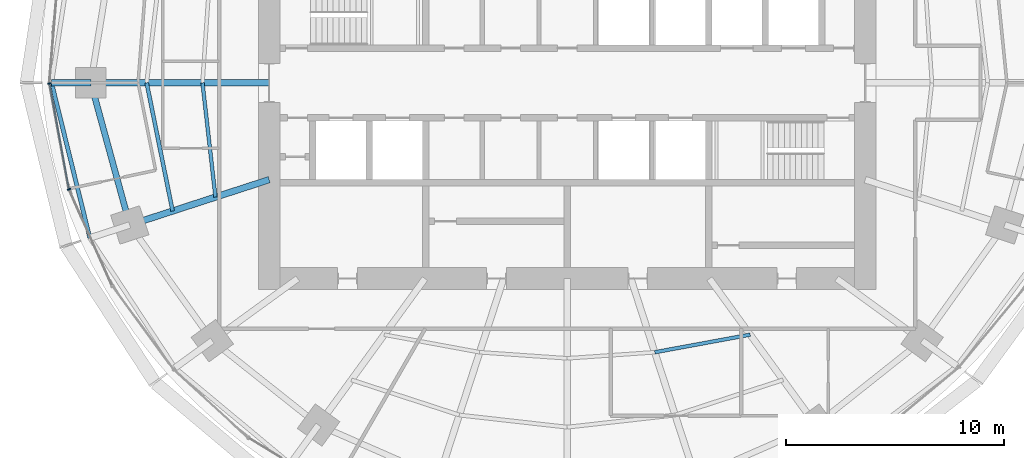
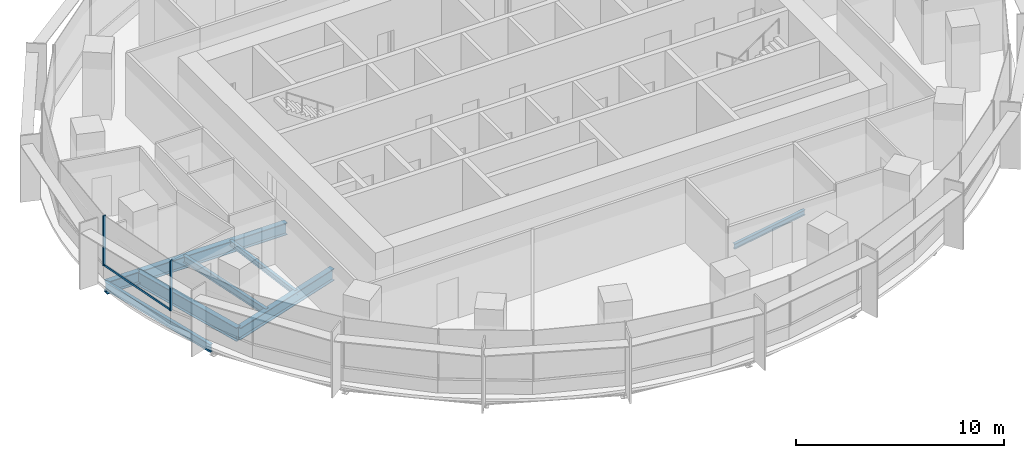
# One storey, part 3 of 14: 8 beams, 3 members, 1 element without a shape of its own.
"""IFC4 building model written with IfcOpenShell, lengths in metres."""

from ifc_helpers import new_model, si_unit, direction, frame, origin, origin_2d, place, context, subcontext, project, spatial, rectangle, i_section, extrude, material, material_profile, profile_set, type_object, element, aggregate, save


model = new_model("IFC4")

# Units and contexts
model_context = context("Model", 3, precision=1e-05, world=origin(), true_north=direction((0.0, 1.0)))
body_context = subcontext(model_context, "Body", "Model", "MODEL_VIEW")
ifc_project = project(units=[si_unit("LENGTHUNIT", "METRE"), si_unit("AREAUNIT", "SQUARE_METRE"), si_unit("VOLUMEUNIT", "CUBIC_METRE"), si_unit("PLANEANGLEUNIT", "RADIAN"), si_unit("MASSUNIT", "GRAM", prefix="KILO")], contexts=[model_context])

# Site, building, storey
site_placement = place(None, origin())
site = spatial("IfcSite", under=ifc_project, at=site_placement, CompositionType="ELEMENT")
building_placement = place(site_placement, origin())
building = spatial("IfcBuilding", under=site, at=building_placement, Name="Marramba Exchange Tower", CompositionType="ELEMENT")
storey_placement = place(building_placement, frame((0.0, 0.0, 176.0)))
storey = spatial("IfcBuildingStorey", under=building, at=storey_placement, Name="L42", CompositionType="ELEMENT", Elevation=176.0)

# Beams
ifc_material_1 = material(Name="Steel AS/NZS 3679.2 grade 300", Category="steel")
ifc_material_profile_1 = material_profile(ifc_material_1, i_section(OverallWidth=0.300048828125, OverallDepth=0.699951171875, WebThickness=0.010009765625, FlangeThickness=0.031982421875, at=origin_2d()), Name="700WB173")
ifc_profile_set_1 = profile_set([ifc_material_profile_1], Name="Steel AS/NZS 3679.2 grade 300")
beam_type_1 = type_object("IfcBeamType", Name="Cantilever girder 700WB173", PredefinedType="BEAM", material=ifc_profile_set_1)
beam_1_placement = place(storey_placement, frame((-21.89990234375, 0.0, -0.510009765625), z_axis=(-1.0, 0.0, 0.0), x_axis=(0.0, -1.0, 0.0)))
element("IfcBeam", 1, at=beam_1_placement, inside=storey, type_object=beam_type_1, Name="Cantilever girder L42 TC11", PredefinedType="BEAM", context=body_context, shape_type="SweptSolid", body=[
    extrude(i_section(OverallWidth=0.300048828125, OverallDepth=0.699951171875, WebThickness=0.010009765625, FlangeThickness=0.031982421875, at=origin_2d()), origin(), (0.0, 0.0, 1.0), 1.80615234375),
])
ifc_material_2 = material(Name="Steel AS/NZS 3679.1 grade 300", Category="steel")
ifc_material_profile_2 = material_profile(ifc_material_2, i_section(OverallWidth=0.166015625, OverallDepth=0.306884765625, WebThickness=0.006591796875, FlangeThickness=0.01171875, FilletRadius=0.011474609375, at=origin_2d()), Name="310UB46.2")
ifc_profile_set_2 = profile_set([ifc_material_profile_2], Name="Steel AS/NZS 3679.1 grade 300")
beam_type_2 = type_object("IfcBeamType", Name="Floor joist 310UB46.2", PredefinedType="JOIST", material=ifc_profile_set_2)
beam_2_placement = place(storey_placement, frame((-16.7666015625, 0.0, -0.3134765625), z_axis=(0.112888968594, -0.993607609054, 0.0), x_axis=(0.993607609054, 0.112888968594, 0.0)))
element("IfcBeam", 2, at=beam_2_placement, inside=storey, type_object=beam_type_2, Name="Joist L42 bay 11 row 1", PredefinedType="JOIST", context=body_context, shape_type="SweptSolid", body=[
    extrude(i_section(OverallWidth=0.166015625, OverallDepth=0.306884765625, WebThickness=0.006591796875, FlangeThickness=0.01171875, FilletRadius=0.011474609375, at=origin_2d()), origin(), (0.0, 0.0, 1.0), 5.28759765625),
])
beam_3_placement = place(storey_placement, frame((4.0244140625, -12.3857421875, -0.3134765625), z_axis=(0.983455754421, 0.181148500119, 0.0), x_axis=(-0.181148500119, 0.983455754421, 0.0)))
element("IfcBeam", 3, at=beam_3_placement, inside=storey, type_object=beam_type_2, Name="Joist L42 bay 17 row 1", PredefinedType="JOIST", context=body_context, shape_type="SweptSolid", body=[
    extrude(i_section(OverallWidth=0.166015625, OverallDepth=0.306884765625, WebThickness=0.006591796875, FlangeThickness=0.01171875, FilletRadius=0.011474609375, at=origin_2d()), origin(), (0.0, 0.0, 1.0), 4.4609375),
])
ifc_material_profile_3 = material_profile(ifc_material_2, i_section(OverallWidth=0.177978515625, OverallDepth=0.406005859375, WebThickness=0.0078125, FlangeThickness=0.0126953125, FilletRadius=0.011474609375, at=origin_2d()), Name="410UB59.7")
ifc_profile_set_3 = profile_set([ifc_material_profile_3], Name="Steel AS/NZS 3679.1 grade 300")
beam_type_3 = type_object("IfcBeamType", Name="Floor joist 410UB59.7", PredefinedType="JOIST", material=ifc_profile_set_3)
beam_4_placement = place(storey_placement, frame((-19.333251953125, 0.0, -0.363037109375), z_axis=(0.198489047047, -0.980103105904, 0.0), x_axis=(0.980103105904, 0.198489047047, 0.0)))
element("IfcBeam", 4, at=beam_4_placement, inside=storey, type_object=beam_type_3, Name="Joist L42 bay 11 row 2", PredefinedType="JOIST", context=body_context, shape_type="SweptSolid", body=[
    extrude(i_section(OverallWidth=0.177978515625, OverallDepth=0.406005859375, WebThickness=0.0078125, FlangeThickness=0.0126953125, FilletRadius=0.011474609375, at=origin_2d()), origin(), (0.0, 0.0, 1.0), 6.013427734375),
])

# Curtain wall, members
ifc_material_3 = material(Name="Aluminium framing, bronze anodised", Category="aluminium")
curtain_wall_type = type_object("IfcCurtainWallType", Name="Office ribbon curtain wall", PredefinedType="USERDEFINED", material=ifc_material_3)
curtain_wall_placement = place(storey_placement, origin())
curtain_wall = element("IfcCurtainWall", 5, at=curtain_wall_placement, inside=storey, type_object=curtain_wall_type, Name="Curtain wall CW4 L42 F16-F20", ObjectType="RIBBON CURTAIN WALL", PredefinedType="USERDEFINED")
ifc_material_4 = material(Name="Aluminium mullion, bronze anodised", Category="aluminium")
ifc_material_profile_4 = material_profile(ifc_material_4, rectangle(XDim=0.159912109375, YDim=0.06005859375, at=origin_2d()), Name="CW4 mullion 60x160")
ifc_profile_set_4 = profile_set([ifc_material_profile_4], Name="Aluminium mullion, bronze anodised")
member_type_1 = type_object("IfcMemberType", Name="Office ribbon curtain wall mullion", PredefinedType="MULLION", material=ifc_profile_set_4)
member_1_placement = place(storey_placement, frame((-23.800537109375, -0.029541015625, 0.800048828125), z_axis=(0.0, 0.0, 1.0), x_axis=(0.983606636184, 0.180327438996, 0.0)))
member_1 = element("IfcMember", 6, at=member_1_placement, type_object=member_type_1, Name="CW4 mullion 1", PredefinedType="MULLION", context=body_context, shape_type="SweptSolid", body=[
    extrude(rectangle(XDim=0.159912109375, YDim=0.06005859375, at=origin_2d()), origin(), (0.0, 0.0, 1.0), 2.93994140625),
])
member_2_placement = place(storey_placement, frame((-22.90087890625, -4.897705078125, 0.800048828125), z_axis=(0.0, 0.0, 1.0), x_axis=(0.913179510401, 0.407557580942, 0.0)))
member_2 = element("IfcMember", 7, at=member_2_placement, type_object=member_type_1, Name="CW4 mullion 1", PredefinedType="MULLION", context=body_context, shape_type="SweptSolid", body=[
    extrude(rectangle(XDim=0.159912109375, YDim=0.06005859375, at=origin_2d()), origin(), (0.0, 0.0, 1.0), 2.93994140625),
])
ifc_material_5 = material(Name="Aluminium transom, bronze anodised", Category="aluminium")
ifc_material_profile_5 = material_profile(ifc_material_5, rectangle(XDim=0.06005859375, YDim=0.1201171875, at=origin_2d()), Name="CW4 transom 60x120")
ifc_profile_set_5 = profile_set([ifc_material_profile_5], Name="Aluminium transom, bronze anodised")
member_type_2 = type_object("IfcMemberType", Name="Office ribbon curtain wall transom", PredefinedType="USERDEFINED", material=ifc_profile_set_5)
member_3_placement = place(storey_placement, frame((-23.795166015625, -0.05908203125, 0.830078125), z_axis=(0.180330283276, -0.98360611473, 0.0), x_axis=(0.98360611473, 0.180330283276, 0.0)))
member_3 = element("IfcMember", 8, at=member_3_placement, type_object=member_type_2, Name="CW4 sill transom", ObjectType="TRANSOM", PredefinedType="USERDEFINED", context=body_context, shape_type="SweptSolid", body=[
    extrude(rectangle(XDim=0.06005859375, YDim=0.1201171875, at=origin_2d()), origin(), (0.0, 0.0, 1.0), 4.891357421875),
])
aggregate(curtain_wall, [member_1, member_3, member_2])

# Beams
ifc_material_profile_6 = material_profile(ifc_material_1, i_section(OverallWidth=0.300048828125, OverallDepth=0.699951171875, WebThickness=0.010009765625, FlangeThickness=0.031982421875, at=origin_2d()), Name="700WB173")
ifc_profile_set_6 = profile_set([ifc_material_profile_6], Name="Steel AS/NZS 3679.2 grade 300")
beam_type_4 = type_object("IfcBeamType", Name="Radial girder 700WB173", PredefinedType="BEAM", material=ifc_profile_set_6)
beam_5_placement = place(storey_placement, frame((-13.699951171875, 0.0, -0.510009765625), z_axis=(-1.0, 0.0, 0.0), x_axis=(0.0, -1.0, 0.0)))
element("IfcBeam", 9, at=beam_5_placement, inside=storey, type_object=beam_type_4, Name="Radial girder L42 TC11", PredefinedType="BEAM", context=body_context, shape_type="SweptSolid", body=[
    extrude(i_section(OverallWidth=0.300048828125, OverallDepth=0.699951171875, WebThickness=0.010009765625, FlangeThickness=0.031982421875, at=origin_2d()), origin(), (0.0, 0.0, 1.0), 8.199951171875),
])
beam_6_placement = place(storey_placement, frame((-13.699951171875, -4.451416015625, -0.510009765625), z_axis=(-0.951057759669, -0.309013167637, 0.0), x_axis=(0.309013167637, -0.951057759669, 0.0)))
element("IfcBeam", 10, at=beam_6_placement, inside=storey, type_object=beam_type_4, Name="Radial girder L42 TC12", PredefinedType="BEAM", context=body_context, shape_type="SweptSolid", body=[
    extrude(i_section(OverallWidth=0.300048828125, OverallDepth=0.699951171875, WebThickness=0.010009765625, FlangeThickness=0.031982421875, at=origin_2d()), origin(), (0.0, 0.0, 1.0), 6.7392578125),
])
ifc_material_profile_7 = material_profile(ifc_material_1, i_section(OverallWidth=0.27490234375, OverallDepth=0.800048828125, WebThickness=0.010009765625, FlangeThickness=0.02490234375, at=origin_2d()), Name="800WB168")
ifc_profile_set_7 = profile_set([ifc_material_profile_7], Name="Steel AS/NZS 3679.2 grade 300")
beam_type_5 = type_object("IfcBeamType", Name="Ring beam 800WB168", PredefinedType="SPANDREL", material=ifc_profile_set_7)
beam_7_placement = place(storey_placement, frame((-21.89990234375, 0.0, -0.56005859375), z_axis=(0.264291166956, -0.964442937176, 0.0), x_axis=(0.964442937176, 0.264291166956, 0.0)))
element("IfcBeam", 11, at=beam_7_placement, inside=storey, type_object=beam_type_5, Name="Ring beam L42 TC11-TC12", PredefinedType="SPANDREL", context=body_context, shape_type="SweptSolid", body=[
    extrude(i_section(OverallWidth=0.27490234375, OverallDepth=0.800048828125, WebThickness=0.010009765625, FlangeThickness=0.02490234375, at=origin_2d()), origin(), (0.0, 0.0, 1.0), 6.77490234375),
])
ifc_material_profile_8 = material_profile(ifc_material_2, i_section(OverallWidth=0.19091796875, OverallDepth=0.4599609375, WebThickness=0.010009765625, FlangeThickness=0.01611328125, FilletRadius=0.011474609375, at=origin_2d()), Name="460UB82.1")
ifc_profile_set_8 = profile_set([ifc_material_profile_8], Name="Steel AS/NZS 3679.1 grade 300")
beam_type_6 = type_object("IfcBeamType", Name="Slab edge beam 460UB82.1", PredefinedType="SPANDREL", material=ifc_profile_set_8)
beam_8_placement = place(storey_placement, frame((-23.7060546875, 0.0, -0.389892578125), z_axis=(0.23973454413, -0.970838476963, 0.0), x_axis=(0.970838476963, 0.23973454413, 0.0)))
element("IfcBeam", 12, at=beam_8_placement, inside=storey, type_object=beam_type_6, Name="Slab edge beam L42 TC11-TC12", PredefinedType="SPANDREL", context=body_context, shape_type="SweptSolid", body=[
    extrude(i_section(OverallWidth=0.19091796875, OverallDepth=0.4599609375, WebThickness=0.010009765625, FlangeThickness=0.01611328125, FilletRadius=0.011474609375, at=origin_2d()), origin(), (0.0, 0.0, 1.0), 7.344482421875),
])

save(model, "model.ifc")
